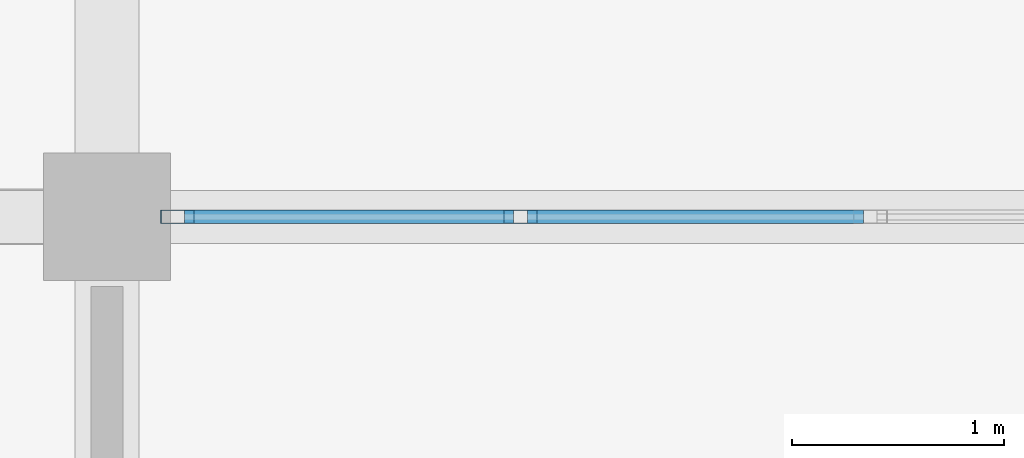
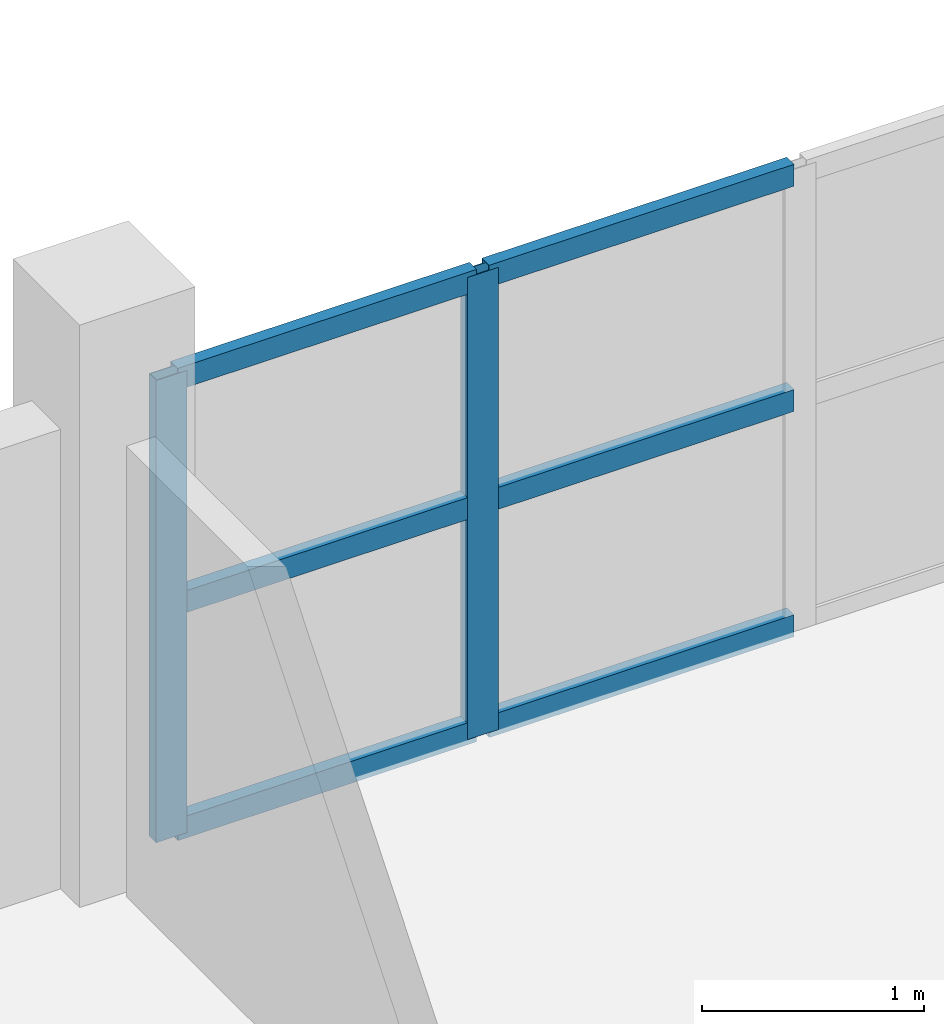
# One storey, part 11 of 67: 8 members, 1 element without a shape of its own.
"""IFC4 building model written with IfcOpenShell, lengths in metres."""

from ifc_helpers import new_model, si_unit, direction, frame, origin, origin_2d, place, context, subcontext, project, spatial, hollow_rectangle, extrude, material, material_profile, profile_set, type_object, element, aggregate, save


model = new_model("IFC4")

# Units and contexts
model_context = context("Model", 3, precision=1e-05, world=origin(), true_north=direction((0.0, 1.0)))
body_context = subcontext(model_context, "Body", "Model", "MODEL_VIEW")
ifc_project = project(units=[si_unit("LENGTHUNIT", "METRE"), si_unit("AREAUNIT", "SQUARE_METRE"), si_unit("VOLUMEUNIT", "CUBIC_METRE"), si_unit("PLANEANGLEUNIT", "RADIAN"), si_unit("MASSUNIT", "GRAM", prefix="KILO")], contexts=[model_context])

# Site, building, storey
site_placement = place(None, origin())
site = spatial("IfcSite", under=ifc_project, at=site_placement, CompositionType="ELEMENT")
building_placement = place(site_placement, origin())
building = spatial("IfcBuilding", under=site, at=building_placement, Name="Suanplinth Sawtooth Commons", CompositionType="ELEMENT")
storey_placement = place(building_placement, frame((0.0, 0.0, 25.10009765625)))
storey = spatial("IfcBuildingStorey", under=building, at=storey_placement, Name="L07", CompositionType="ELEMENT", Elevation=25.10009765625)

# Curtain wall, members
ifc_material_1 = material(Name="Anodized aluminium and low-E glazing", Category="aluminium")
curtain_wall_type = type_object("IfcCurtainWallType", Name="CW-06", PredefinedType="USERDEFINED", material=ifc_material_1)
curtain_wall_placement = place(storey_placement, origin())
curtain_wall = element("IfcCurtainWall", 1, at=curtain_wall_placement, inside=storey, type_object=curtain_wall_type, Name="Curtain Wall CW-L07-A-LOUNGE-5", ObjectType="CURTAIN WALL", PredefinedType="USERDEFINED")
ifc_material_2 = material(Name="Anodized aluminium 6063-T6", Category="aluminium")
ifc_material_profile_1 = material_profile(ifc_material_2, hollow_rectangle(XDim=0.06494140625, YDim=0.159912109375, WallThickness=0.00390625, at=origin_2d()), Name="ALU-MUL 65x160")
ifc_profile_set_1 = profile_set([ifc_material_profile_1], Name="Anodized aluminium 6063-T6")
member_type_1 = type_object("IfcMemberType", Name="M-13", PredefinedType="MULLION", material=ifc_profile_set_1)
member_1_placement = place(storey_placement, frame((43.532470703125, 122.39990234375, 0.0), z_axis=(0.0, 0.0, 1.0), x_axis=(0.0, 1.0, 0.0)))
member_1 = element("IfcMember", 2, at=member_1_placement, type_object=member_type_1, Name="CW-06 mullion 1", PredefinedType="MULLION", context=body_context, shape_type="SweptSolid", body=[
    extrude(hollow_rectangle(XDim=0.06494140625, YDim=0.159912109375, WallThickness=0.00390625, at=origin_2d()), origin(), (0.0, 0.0, 1.0), 2.539794921875),
])
member_2_placement = place(storey_placement, frame((45.14990234375, 122.39990234375, 0.0), z_axis=(0.0, 0.0, 1.0), x_axis=(0.0, 1.0, 0.0)))
member_2 = element("IfcMember", 3, at=member_2_placement, type_object=member_type_1, Name="CW-06 mullion 2", PredefinedType="MULLION", context=body_context, shape_type="SweptSolid", body=[
    extrude(hollow_rectangle(XDim=0.06494140625, YDim=0.159912109375, WallThickness=0.00390625, at=origin_2d()), origin(), (0.0, 0.0, 1.0), 2.539794921875),
])
ifc_material_profile_2 = material_profile(ifc_material_2, hollow_rectangle(XDim=0.06494140625, YDim=0.1201171875, WallThickness=0.00390625, at=origin_2d()), Name="ALU-TRN 65x120")
ifc_profile_set_2 = profile_set([ifc_material_profile_2], Name="Anodized aluminium 6063-T6")
member_type_2 = type_object("IfcMemberType", Name="M-15", PredefinedType="USERDEFINED", material=ifc_profile_set_2)
member_3_placement = place(storey_placement, frame((43.56494140625, 122.39990234375, 0.032470703125), z_axis=(1.0, 0.0, 0.0), x_axis=(0.0, 1.0, 0.0)))
member_3 = element("IfcMember", 4, at=member_3_placement, type_object=member_type_2, Name="CW-06 transom 1.1", ObjectType="TRANSOM", PredefinedType="USERDEFINED", context=body_context, shape_type="SweptSolid", body=[
    extrude(hollow_rectangle(XDim=0.06494140625, YDim=0.1201171875, WallThickness=0.00390625, at=origin_2d()), origin(), (0.0, 0.0, 1.0), 1.552490234375),
])
member_4_placement = place(storey_placement, frame((43.56494140625, 122.39990234375, 1.27001953125), z_axis=(1.0, 0.0, 0.0), x_axis=(0.0, 1.0, 0.0)))
member_4 = element("IfcMember", 5, at=member_4_placement, type_object=member_type_2, Name="CW-06 transom 1.2", ObjectType="TRANSOM", PredefinedType="USERDEFINED", context=body_context, shape_type="SweptSolid", body=[
    extrude(hollow_rectangle(XDim=0.06494140625, YDim=0.1201171875, WallThickness=0.00390625, at=origin_2d()), origin(), (0.0, 0.0, 1.0), 1.552490234375),
])
member_5_placement = place(storey_placement, frame((43.56494140625, 122.39990234375, 2.50732421875), z_axis=(1.0, 0.0, 0.0), x_axis=(0.0, 1.0, 0.0)))
member_5 = element("IfcMember", 6, at=member_5_placement, type_object=member_type_2, Name="CW-06 transom 1.3", ObjectType="TRANSOM", PredefinedType="USERDEFINED", context=body_context, shape_type="SweptSolid", body=[
    extrude(hollow_rectangle(XDim=0.06494140625, YDim=0.1201171875, WallThickness=0.00390625, at=origin_2d()), origin(), (0.0, 0.0, 1.0), 1.552490234375),
])
member_6_placement = place(storey_placement, frame((45.1826171875, 122.39990234375, 0.032470703125), z_axis=(1.0, 0.0, 0.0), x_axis=(0.0, 1.0, 0.0)))
member_6 = element("IfcMember", 7, at=member_6_placement, type_object=member_type_2, Name="CW-06 transom 2.1", ObjectType="TRANSOM", PredefinedType="USERDEFINED", context=body_context, shape_type="SweptSolid", body=[
    extrude(hollow_rectangle(XDim=0.06494140625, YDim=0.1201171875, WallThickness=0.00390625, at=origin_2d()), origin(), (0.0, 0.0, 1.0), 1.5849609375),
])
member_7_placement = place(storey_placement, frame((45.1826171875, 122.39990234375, 1.27001953125), z_axis=(1.0, 0.0, 0.0), x_axis=(0.0, 1.0, 0.0)))
member_7 = element("IfcMember", 8, at=member_7_placement, type_object=member_type_2, Name="CW-06 transom 2.2", ObjectType="TRANSOM", PredefinedType="USERDEFINED", context=body_context, shape_type="SweptSolid", body=[
    extrude(hollow_rectangle(XDim=0.06494140625, YDim=0.1201171875, WallThickness=0.00390625, at=origin_2d()), origin(), (0.0, 0.0, 1.0), 1.5849609375),
])
member_8_placement = place(storey_placement, frame((45.1826171875, 122.39990234375, 2.50732421875), z_axis=(1.0, 0.0, 0.0), x_axis=(0.0, 1.0, 0.0)))
member_8 = element("IfcMember", 9, at=member_8_placement, type_object=member_type_2, Name="CW-06 transom 2.3", ObjectType="TRANSOM", PredefinedType="USERDEFINED", context=body_context, shape_type="SweptSolid", body=[
    extrude(hollow_rectangle(XDim=0.06494140625, YDim=0.1201171875, WallThickness=0.00390625, at=origin_2d()), origin(), (0.0, 0.0, 1.0), 1.5849609375),
])
aggregate(curtain_wall, [member_1, member_2, member_3, member_4, member_5, member_6, member_7, member_8])

save(model, "model.ifc")
